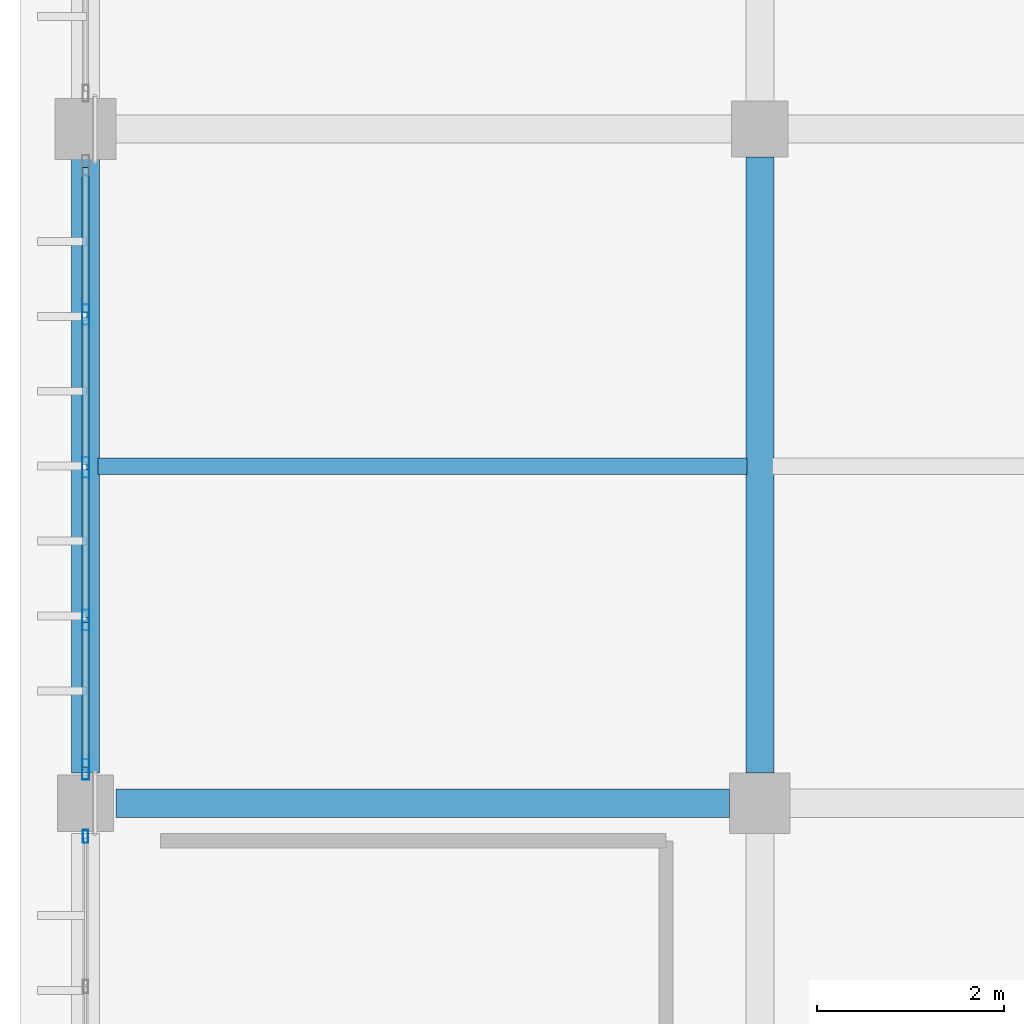
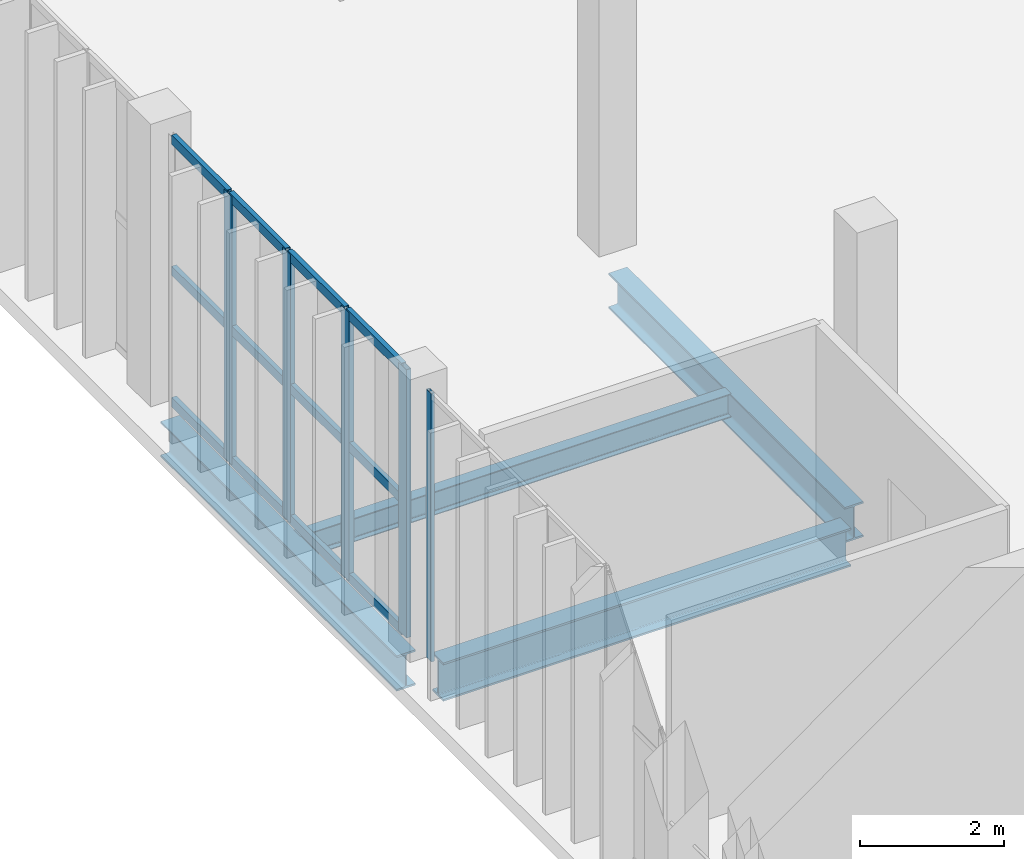
# One storey, part 17 of 105: 17 members, 4 beams, 2 elements without a shape of their own.
"""IFC4 building model written with IfcOpenShell, lengths in metres."""

from ifc_helpers import new_model, si_unit, direction, frame, origin, origin_2d, place, context, subcontext, project, spatial, hollow_rectangle, i_section, extrude, material, material_profile, profile_set, type_object, element, aggregate, save


model = new_model("IFC4")

# Units and contexts
model_context = context("Model", 3, precision=1e-05, world=origin(), true_north=direction((0.0, 1.0)))
body_context = subcontext(model_context, "Body", "Model", "MODEL_VIEW")
ifc_project = project(units=[si_unit("LENGTHUNIT", "METRE"), si_unit("AREAUNIT", "SQUARE_METRE"), si_unit("VOLUMEUNIT", "CUBIC_METRE"), si_unit("PLANEANGLEUNIT", "RADIAN"), si_unit("MASSUNIT", "GRAM", prefix="KILO")], contexts=[model_context])

# Site, building, storey
site_placement = place(None, origin())
site = spatial("IfcSite", under=ifc_project, at=site_placement, CompositionType="ELEMENT")
building_placement = place(site_placement, origin())
building = spatial("IfcBuilding", under=site, at=building_placement, Name="Qandorah Velis Arena", CompositionType="ELEMENT")
storey_placement = place(building_placement, frame((0.0, 0.0, 13.800048828125)))
storey = spatial("IfcBuildingStorey", under=building, at=storey_placement, Name="L03", CompositionType="ELEMENT", Elevation=13.800048828125)

# Curtain wall, member
ifc_material_1 = material(Name="Solar-control low-E double glazing", Category="glass")
curtain_wall_type_1 = type_object("IfcCurtainWallType", Name="ARC-CW-SYS24", PredefinedType="USERDEFINED", material=ifc_material_1)
curtain_wall_1_placement = place(storey_placement, origin())
curtain_wall_1 = element("IfcCurtainWall", 1, at=curtain_wall_1_placement, inside=storey, type_object=curtain_wall_type_1, Name="Unitised curtain wall L03-024", ObjectType="UNITISED CURTAIN WALL", PredefinedType="USERDEFINED")
ifc_material_2 = material(Name="Champagne-bronze anodized aluminium 6063-T6", Category="aluminium")
ifc_material_profile_1 = material_profile(ifc_material_2, hollow_rectangle(XDim=0.054931640625, YDim=0.139892578125, WallThickness=0.0029296875, at=origin_2d()), Name="ALU MULLION 55x140")
ifc_profile_set_1 = profile_set([ifc_material_profile_1], Name="Champagne-bronze anodized aluminium 6063-T6")
member_type_1 = type_object("IfcMemberType", Name="ARC-CWM-140", PredefinedType="MULLION", material=ifc_profile_set_1)
member_1_placement = place(storey_placement, frame((0.0, 57.24755859375, -0.01513671875), z_axis=(0.0, 0.0, 1.0), x_axis=(-1.0, 0.0, 0.0)))
member_1 = element("IfcMember", 2, at=member_1_placement, type_object=member_type_1, Name="CW24 mullion 5", PredefinedType="MULLION", context=body_context, shape_type="SweptSolid", body=[
    extrude(hollow_rectangle(XDim=0.054931640625, YDim=0.139892578125, WallThickness=0.0029296875, at=origin_2d()), origin(), (0.0, 0.0, 1.0), 4.56005859375),
])
aggregate(curtain_wall_1, [member_1])

# Curtain wall, members
curtain_wall_type_2 = type_object("IfcCurtainWallType", Name="ARC-CW-SYS01", PredefinedType="USERDEFINED", material=ifc_material_1)
curtain_wall_2_placement = place(storey_placement, origin())
curtain_wall_2 = element("IfcCurtainWall", 3, at=curtain_wall_2_placement, inside=storey, type_object=curtain_wall_type_2, Name="Unitised curtain wall L03-025", ObjectType="UNITISED CURTAIN WALL", PredefinedType="USERDEFINED")
ifc_material_profile_2 = material_profile(ifc_material_2, hollow_rectangle(XDim=0.074951171875, YDim=0.219970703125, WallThickness=0.00390625, at=origin_2d()), Name="ALU MULLION 75x220")
ifc_profile_set_2 = profile_set([ifc_material_profile_2], Name="Champagne-bronze anodized aluminium 6063-T6")
member_type_2 = type_object("IfcMemberType", Name="ARC-CWM-220", PredefinedType="MULLION", material=ifc_profile_set_2)
member_2_placement = place(storey_placement, frame((0.0, 57.96240234375, -0.01513671875), z_axis=(0.0, 0.0, 1.0), x_axis=(-1.0, 0.0, 0.0)))
member_2 = element("IfcMember", 4, at=member_2_placement, type_object=member_type_2, Name="CW01 mullion 1", PredefinedType="MULLION", context=body_context, shape_type="SweptSolid", body=[
    extrude(hollow_rectangle(XDim=0.074951171875, YDim=0.219970703125, WallThickness=0.00390625, at=origin_2d()), origin(), (0.0, 0.0, 1.0), 4.56005859375),
])
member_3_placement = place(storey_placement, frame((0.0, 59.55615234375, -0.01513671875), z_axis=(0.0, 0.0, 1.0), x_axis=(-1.0, 0.0, 0.0)))
member_3 = element("IfcMember", 5, at=member_3_placement, type_object=member_type_2, Name="CW01 mullion 2", PredefinedType="MULLION", context=body_context, shape_type="SweptSolid", body=[
    extrude(hollow_rectangle(XDim=0.074951171875, YDim=0.219970703125, WallThickness=0.00390625, at=origin_2d()), origin(), (0.0, 0.0, 1.0), 4.56005859375),
])
member_4_placement = place(storey_placement, frame((0.0, 61.1875, -0.01513671875), z_axis=(0.0, 0.0, 1.0), x_axis=(-1.0, 0.0, 0.0)))
member_4 = element("IfcMember", 6, at=member_4_placement, type_object=member_type_2, Name="CW01 mullion 3", PredefinedType="MULLION", context=body_context, shape_type="SweptSolid", body=[
    extrude(hollow_rectangle(XDim=0.074951171875, YDim=0.219970703125, WallThickness=0.00390625, at=origin_2d()), origin(), (0.0, 0.0, 1.0), 4.56005859375),
])
member_5_placement = place(storey_placement, frame((0.0, 62.81884765625, -0.01513671875), z_axis=(0.0, 0.0, 1.0), x_axis=(-1.0, 0.0, 0.0)))
member_5 = element("IfcMember", 7, at=member_5_placement, type_object=member_type_2, Name="CW01 mullion 4", PredefinedType="MULLION", context=body_context, shape_type="SweptSolid", body=[
    extrude(hollow_rectangle(XDim=0.074951171875, YDim=0.219970703125, WallThickness=0.00390625, at=origin_2d()), origin(), (0.0, 0.0, 1.0), 4.56005859375),
])
ifc_material_profile_3 = material_profile(ifc_material_2, hollow_rectangle(XDim=0.074951171875, YDim=0.159912109375, WallThickness=0.00341796875, at=origin_2d()), Name="ALU TRANSOM 75x160")
ifc_profile_set_3 = profile_set([ifc_material_profile_3], Name="Champagne-bronze anodized aluminium 6063-T6")
member_type_3 = type_object("IfcMemberType", Name="ARC-CWT-160", PredefinedType="USERDEFINED", material=ifc_profile_set_3)
member_6_placement = place(storey_placement, frame((0.0, 57.988037109375, 0.037353515625), z_axis=(0.0, 1.0, 0.0), x_axis=(-1.0, 0.0, 0.0)))
member_6 = element("IfcMember", 8, at=member_6_placement, type_object=member_type_3, Name="CW01 transom 1.1", ObjectType="TRANSOM", PredefinedType="USERDEFINED", context=body_context, shape_type="SweptSolid", body=[
    extrude(hollow_rectangle(XDim=0.074951171875, YDim=0.159912109375, WallThickness=0.00341796875, at=origin_2d()), origin(), (0.0, 0.0, 1.0), 1.542724609375),
])
member_7_placement = place(storey_placement, frame((0.0, 57.988037109375, 2.264892578125), z_axis=(0.0, 1.0, 0.0), x_axis=(-1.0, 0.0, 0.0)))
member_7 = element("IfcMember", 9, at=member_7_placement, type_object=member_type_3, Name="CW01 transom 1.2", ObjectType="TRANSOM", PredefinedType="USERDEFINED", context=body_context, shape_type="SweptSolid", body=[
    extrude(hollow_rectangle(XDim=0.074951171875, YDim=0.159912109375, WallThickness=0.00341796875, at=origin_2d()), origin(), (0.0, 0.0, 1.0), 1.542724609375),
])
member_8_placement = place(storey_placement, frame((0.0, 57.988037109375, 4.492431640625), z_axis=(0.0, 1.0, 0.0), x_axis=(-1.0, 0.0, 0.0)))
member_8 = element("IfcMember", 10, at=member_8_placement, type_object=member_type_3, Name="CW01 transom 1.3", ObjectType="TRANSOM", PredefinedType="USERDEFINED", context=body_context, shape_type="SweptSolid", body=[
    extrude(hollow_rectangle(XDim=0.074951171875, YDim=0.159912109375, WallThickness=0.00341796875, at=origin_2d()), origin(), (0.0, 0.0, 1.0), 1.542724609375),
])
member_9_placement = place(storey_placement, frame((0.0, 59.581787109375, 0.037353515625), z_axis=(0.0, 1.0, 0.0), x_axis=(-1.0, 0.0, 0.0)))
member_9 = element("IfcMember", 11, at=member_9_placement, type_object=member_type_3, Name="CW01 transom 2.1", ObjectType="TRANSOM", PredefinedType="USERDEFINED", context=body_context, shape_type="SweptSolid", body=[
    extrude(hollow_rectangle(XDim=0.074951171875, YDim=0.159912109375, WallThickness=0.00341796875, at=origin_2d()), origin(), (0.0, 0.0, 1.0), 1.580322265625),
])
member_10_placement = place(storey_placement, frame((0.0, 59.581787109375, 2.264892578125), z_axis=(0.0, 1.0, 0.0), x_axis=(-1.0, 0.0, 0.0)))
member_10 = element("IfcMember", 12, at=member_10_placement, type_object=member_type_3, Name="CW01 transom 2.2", ObjectType="TRANSOM", PredefinedType="USERDEFINED", context=body_context, shape_type="SweptSolid", body=[
    extrude(hollow_rectangle(XDim=0.074951171875, YDim=0.159912109375, WallThickness=0.00341796875, at=origin_2d()), origin(), (0.0, 0.0, 1.0), 1.580322265625),
])
member_11_placement = place(storey_placement, frame((0.0, 59.581787109375, 4.492431640625), z_axis=(0.0, 1.0, 0.0), x_axis=(-1.0, 0.0, 0.0)))
member_11 = element("IfcMember", 13, at=member_11_placement, type_object=member_type_3, Name="CW01 transom 2.3", ObjectType="TRANSOM", PredefinedType="USERDEFINED", context=body_context, shape_type="SweptSolid", body=[
    extrude(hollow_rectangle(XDim=0.074951171875, YDim=0.159912109375, WallThickness=0.00341796875, at=origin_2d()), origin(), (0.0, 0.0, 1.0), 1.580322265625),
])
member_12_placement = place(storey_placement, frame((0.0, 61.212890625, 0.037353515625), z_axis=(0.0, 1.0, 0.0), x_axis=(-1.0, 0.0, 0.0)))
member_12 = element("IfcMember", 14, at=member_12_placement, type_object=member_type_3, Name="CW01 transom 3.1", ObjectType="TRANSOM", PredefinedType="USERDEFINED", context=body_context, shape_type="SweptSolid", body=[
    extrude(hollow_rectangle(XDim=0.074951171875, YDim=0.159912109375, WallThickness=0.00341796875, at=origin_2d()), origin(), (0.0, 0.0, 1.0), 1.580322265625),
])
member_13_placement = place(storey_placement, frame((0.0, 61.212890625, 2.264892578125), z_axis=(0.0, 1.0, 0.0), x_axis=(-1.0, 0.0, 0.0)))
member_13 = element("IfcMember", 15, at=member_13_placement, type_object=member_type_3, Name="CW01 transom 3.2", ObjectType="TRANSOM", PredefinedType="USERDEFINED", context=body_context, shape_type="SweptSolid", body=[
    extrude(hollow_rectangle(XDim=0.074951171875, YDim=0.159912109375, WallThickness=0.00341796875, at=origin_2d()), origin(), (0.0, 0.0, 1.0), 1.580322265625),
])
member_14_placement = place(storey_placement, frame((0.0, 61.212890625, 4.492431640625), z_axis=(0.0, 1.0, 0.0), x_axis=(-1.0, 0.0, 0.0)))
member_14 = element("IfcMember", 16, at=member_14_placement, type_object=member_type_3, Name="CW01 transom 3.3", ObjectType="TRANSOM", PredefinedType="USERDEFINED", context=body_context, shape_type="SweptSolid", body=[
    extrude(hollow_rectangle(XDim=0.074951171875, YDim=0.159912109375, WallThickness=0.00341796875, at=origin_2d()), origin(), (0.0, 0.0, 1.0), 1.580322265625),
])
member_15_placement = place(storey_placement, frame((0.0, 62.84423828125, 0.037353515625), z_axis=(0.0, 1.0, 0.0), x_axis=(-1.0, 0.0, 0.0)))
member_15 = element("IfcMember", 17, at=member_15_placement, type_object=member_type_3, Name="CW01 transom 4.1", ObjectType="TRANSOM", PredefinedType="USERDEFINED", context=body_context, shape_type="SweptSolid", body=[
    extrude(hollow_rectangle(XDim=0.074951171875, YDim=0.159912109375, WallThickness=0.00341796875, at=origin_2d()), origin(), (0.0, 0.0, 1.0), 1.542724609375),
])
member_16_placement = place(storey_placement, frame((0.0, 62.84423828125, 2.264892578125), z_axis=(0.0, 1.0, 0.0), x_axis=(-1.0, 0.0, 0.0)))
member_16 = element("IfcMember", 18, at=member_16_placement, type_object=member_type_3, Name="CW01 transom 4.2", ObjectType="TRANSOM", PredefinedType="USERDEFINED", context=body_context, shape_type="SweptSolid", body=[
    extrude(hollow_rectangle(XDim=0.074951171875, YDim=0.159912109375, WallThickness=0.00341796875, at=origin_2d()), origin(), (0.0, 0.0, 1.0), 1.542724609375),
])
member_17_placement = place(storey_placement, frame((0.0, 62.84423828125, 4.492431640625), z_axis=(0.0, 1.0, 0.0), x_axis=(-1.0, 0.0, 0.0)))
member_17 = element("IfcMember", 19, at=member_17_placement, type_object=member_type_3, Name="CW01 transom 4.3", ObjectType="TRANSOM", PredefinedType="USERDEFINED", context=body_context, shape_type="SweptSolid", body=[
    extrude(hollow_rectangle(XDim=0.074951171875, YDim=0.159912109375, WallThickness=0.00341796875, at=origin_2d()), origin(), (0.0, 0.0, 1.0), 1.542724609375),
])
aggregate(curtain_wall_2, [member_2, member_3, member_4, member_5, member_6, member_7, member_8, member_9, member_10, member_11, member_12, member_13, member_14, member_15, member_16, member_17])

# Beams
ifc_material_3 = material(Name="Steel S355", Category="steel")
ifc_material_profile_4 = material_profile(ifc_material_3, i_section(OverallWidth=0.300048828125, OverallDepth=0.60009765625, WebThickness=0.015380859375, FlangeThickness=0.030029296875, FilletRadius=0.027099609375, at=origin_2d()), Name="HEB 600")
ifc_profile_set_4 = profile_set([ifc_material_profile_4], Name="Steel S355")
beam_type_1 = type_object("IfcBeamType", Name="STR-BM-HEB600", PredefinedType="BEAM", material=ifc_profile_set_4)
for number, where, z_axis, x_axis, name in (
    (20, (0.0, 57.925048828125, -0.6201171875), (0.0, 1.0, 0.0), (-1.0, 0.0, 0.0), "Primary floor girder L03 Y-184"),
    (21, (7.199951171875, 57.925048828125, -0.6201171875), (0.0, 1.0, 0.0), (-1.0, 0.0, 0.0), "Primary floor girder L03 Y-198"),
):
    element("IfcBeam", number, at=place(storey_placement, frame(where, z_axis=z_axis, x_axis=x_axis)), inside=storey, type_object=beam_type_1, Name=name, PredefinedType="BEAM", context=body_context, shape_type="SweptSolid", body=[
        extrude(i_section(OverallWidth=0.300048828125, OverallDepth=0.60009765625, WebThickness=0.015380859375, FlangeThickness=0.030029296875, FilletRadius=0.027099609375, at=origin_2d()), origin(), (0.0, 0.0, 1.0), 6.574951171875),
    ])
ifc_material_profile_5 = material_profile(ifc_material_3, i_section(OverallWidth=0.300048828125, OverallDepth=0.64990234375, WebThickness=0.01611328125, FlangeThickness=0.031005859375, FilletRadius=0.027099609375, at=origin_2d()), Name="HEB 650")
ifc_profile_set_5 = profile_set([ifc_material_profile_5], Name="Steel S355")
beam_type_2 = type_object("IfcBeamType", Name="STR-BM-HEB650", PredefinedType="BEAM", material=ifc_profile_set_5)
beam_1_placement = place(storey_placement, frame((0.324951171875, 57.60009765625, -0.64501953125), z_axis=(1.0, 0.0, 0.0), x_axis=(0.0, 1.0, 0.0)))
element("IfcBeam", 22, at=beam_1_placement, inside=storey, type_object=beam_type_2, Name="Primary floor girder L03 X-083", PredefinedType="BEAM", context=body_context, shape_type="SweptSolid", body=[
    extrude(i_section(OverallWidth=0.300048828125, OverallDepth=0.64990234375, WebThickness=0.01611328125, FlangeThickness=0.031005859375, FilletRadius=0.027099609375, at=origin_2d()), origin(), (0.0, 0.0, 1.0), 6.550048828125),
])
ifc_material_profile_6 = material_profile(ifc_material_3, i_section(OverallWidth=0.179931640625, OverallDepth=0.39990234375, WebThickness=0.008544921875, FlangeThickness=0.013427734375, FilletRadius=0.02099609375, at=origin_2d()), Name="IPE 400")
ifc_profile_set_6 = profile_set([ifc_material_profile_6], Name="Steel S355")
beam_type_3 = type_object("IfcBeamType", Name="STR-JST-IPE400", PredefinedType="JOIST", material=ifc_profile_set_6)
beam_2_placement = place(storey_placement, frame((0.135009765625, 61.199951171875, -0.52001953125), z_axis=(1.0, 0.0, 0.0), x_axis=(0.0, 1.0, 0.0)))
element("IfcBeam", 23, at=beam_2_placement, inside=storey, type_object=beam_type_3, Name="Secondary floor joist L03-005", PredefinedType="JOIST", context=body_context, shape_type="SweptSolid", body=[
    extrude(i_section(OverallWidth=0.179931640625, OverallDepth=0.39990234375, WebThickness=0.008544921875, FlangeThickness=0.013427734375, FilletRadius=0.02099609375, at=origin_2d()), origin(), (0.0, 0.0, 1.0), 6.929931640625),
])

save(model, "model.ifc")
